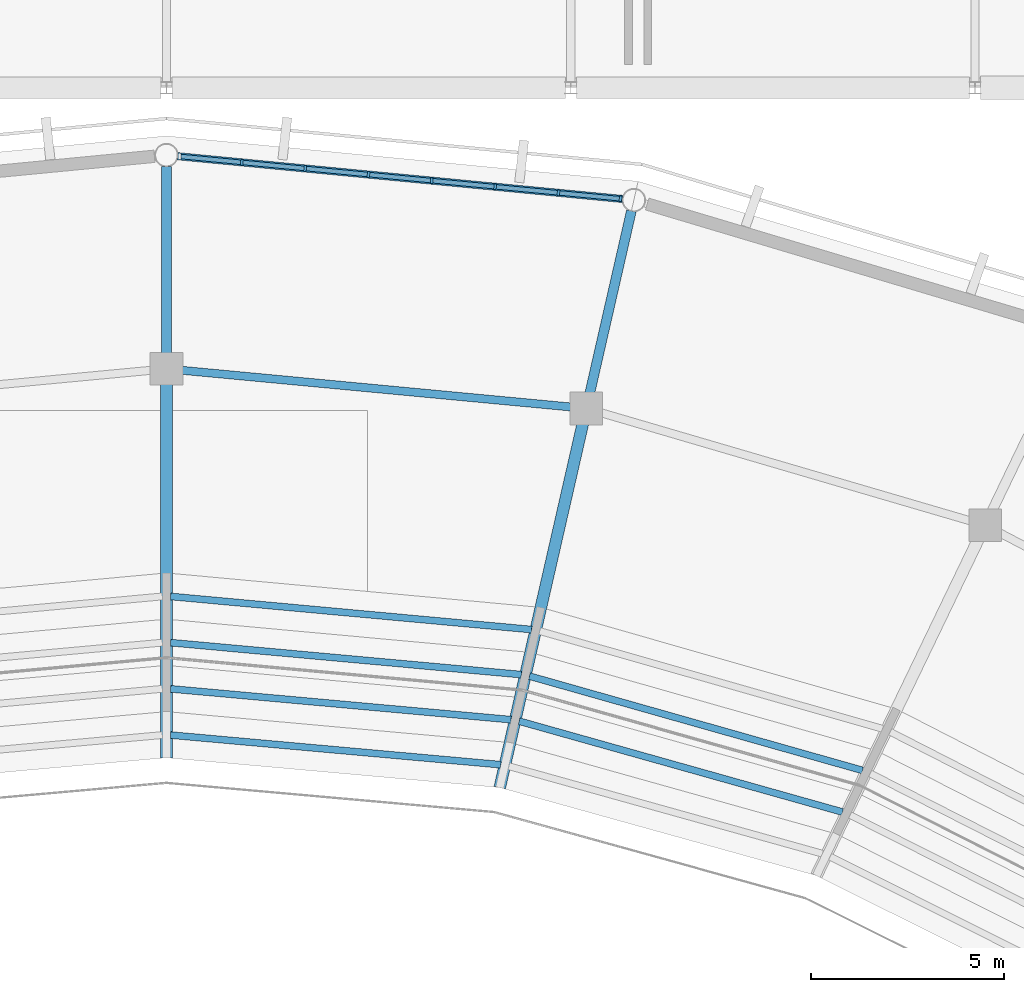
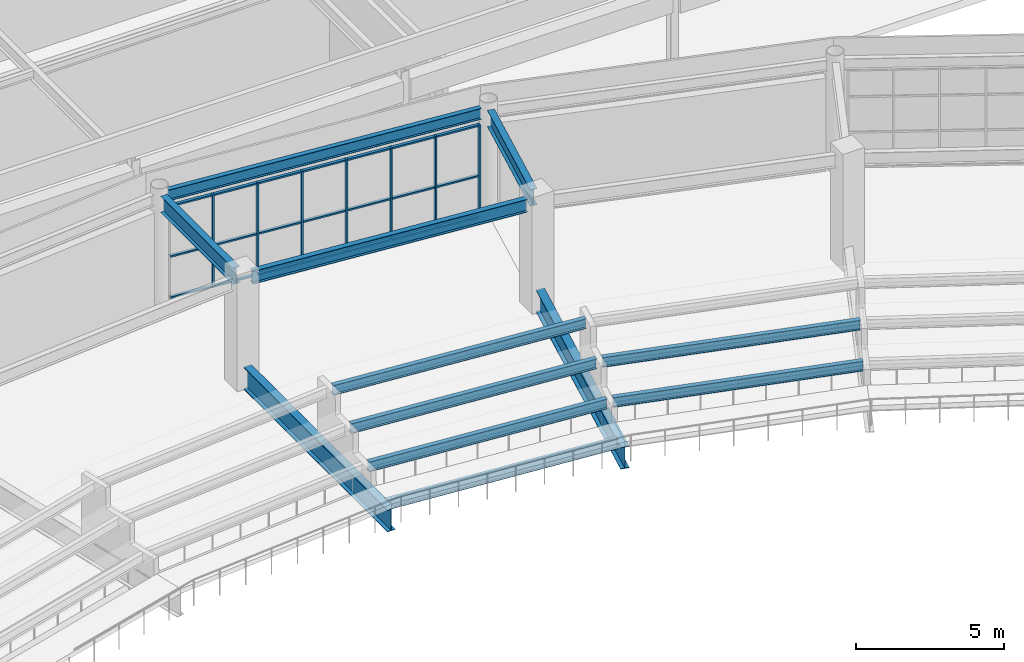
# One storey, part 58 of 122: 28 members, 12 beams, 1 element without a shape of its own.
"""IFC4 building model written with IfcOpenShell, lengths in metres."""

from ifc_helpers import new_model, si_unit, direction, frame, origin, origin_2d, place, context, subcontext, project, spatial, rectangle, i_section, extrude, material, material_profile, profile_set, type_object, element, aggregate, save


model = new_model("IFC4")

# Units and contexts
model_context = context("Model", 3, precision=1e-05, world=origin(), true_north=direction((0.0, 1.0)))
body_context = subcontext(model_context, "Body", "Model", "MODEL_VIEW")
ifc_project = project(units=[si_unit("LENGTHUNIT", "METRE"), si_unit("AREAUNIT", "SQUARE_METRE"), si_unit("VOLUMEUNIT", "CUBIC_METRE"), si_unit("PLANEANGLEUNIT", "RADIAN"), si_unit("MASSUNIT", "GRAM", prefix="KILO")], contexts=[model_context])

# Site, building, storey
site_placement = place(None, origin())
site = spatial("IfcSite", under=ifc_project, at=site_placement, CompositionType="ELEMENT")
building_placement = place(site_placement, origin())
building = spatial("IfcBuilding", under=site, at=building_placement, Name="Cuetzalor Civic Arena", CompositionType="ELEMENT")
storey_placement = place(building_placement, frame((0.0, 0.0, 16.199951171875)))
storey = spatial("IfcBuildingStorey", under=building, at=storey_placement, Name="L03", CompositionType="ELEMENT", Elevation=16.199951171875)

# Curtain wall, members
ifc_material_1 = material(Name="Anodised dark bronze aluminium and low-E solar glass", Category="aluminium")
curtain_wall_type = type_object("IfcCurtainWallType", Name="UnitisedCW_11550x3850", PredefinedType="USERDEFINED", material=ifc_material_1)
curtain_wall_placement = place(storey_placement, origin())
curtain_wall = element("IfcCurtainWall", 1, at=curtain_wall_placement, inside=storey, type_object=curtain_wall_type, Name="Drum Triangle Foyer Curtain Wall L03-047", ObjectType="UNITISED CURTAIN WALL", PredefinedType="USERDEFINED")
ifc_material_2 = material(Name="Anodised dark bronze aluminium", Category="aluminium")
ifc_material_profile_1 = material_profile(ifc_material_2, rectangle(XDim=0.06494140625, YDim=0.14990234375, at=origin_2d()), Name="ALU MULLION 65x150")
ifc_profile_set_1 = profile_set([ifc_material_profile_1], Name="Anodised dark bronze aluminium")
member_type_1 = type_object("IfcMemberType", Name="CurtainWallMullion_60x150", PredefinedType="MULLION", material=ifc_profile_set_1)
member_1_placement = place(storey_placement, frame((1.957763671875, 46.36181640625, 0.0), z_axis=(0.0, 0.0, 1.0), x_axis=(0.995409139996, -0.095711253324, 0.0)))
member_1 = element("IfcMember", 2, at=member_1_placement, type_object=member_type_1, Name="CW-14 mullion 2", PredefinedType="MULLION", context=body_context, shape_type="SweptSolid", body=[
    extrude(rectangle(XDim=0.06494140625, YDim=0.14990234375, at=origin_2d()), origin(), (0.0, 0.0, 1.0), 3.83203125),
])
member_2_placement = place(storey_placement, frame((3.602294921875, 46.20361328125, 0.0), z_axis=(0.0, 0.0, 1.0), x_axis=(0.995409139996, -0.095711253324, 0.0)))
member_2 = element("IfcMember", 3, at=member_2_placement, type_object=member_type_1, Name="CW-14 mullion 3", PredefinedType="MULLION", context=body_context, shape_type="SweptSolid", body=[
    extrude(rectangle(XDim=0.06494140625, YDim=0.14990234375, at=origin_2d()), origin(), (0.0, 0.0, 1.0), 3.83203125),
])
member_3_placement = place(storey_placement, frame((5.2470703125, 46.04541015625, 0.0), z_axis=(0.0, 0.0, 1.0), x_axis=(0.995409139996, -0.095711253324, 0.0)))
member_3 = element("IfcMember", 4, at=member_3_placement, type_object=member_type_1, Name="CW-14 mullion 4", PredefinedType="MULLION", context=body_context, shape_type="SweptSolid", body=[
    extrude(rectangle(XDim=0.06494140625, YDim=0.14990234375, at=origin_2d()), origin(), (0.0, 0.0, 1.0), 3.83203125),
])
member_4_placement = place(storey_placement, frame((6.8916015625, 45.887451171875, 0.0), z_axis=(0.0, 0.0, 1.0), x_axis=(0.995409139996, -0.095711253324, 0.0)))
member_4 = element("IfcMember", 5, at=member_4_placement, type_object=member_type_1, Name="CW-14 mullion 5", PredefinedType="MULLION", context=body_context, shape_type="SweptSolid", body=[
    extrude(rectangle(XDim=0.06494140625, YDim=0.14990234375, at=origin_2d()), origin(), (0.0, 0.0, 1.0), 3.83203125),
])
member_5_placement = place(storey_placement, frame((8.5361328125, 45.729248046875, 0.0), z_axis=(0.0, 0.0, 1.0), x_axis=(0.995409139996, -0.095711253324, 0.0)))
member_5 = element("IfcMember", 6, at=member_5_placement, type_object=member_type_1, Name="CW-14 mullion 6", PredefinedType="MULLION", context=body_context, shape_type="SweptSolid", body=[
    extrude(rectangle(XDim=0.06494140625, YDim=0.14990234375, at=origin_2d()), origin(), (0.0, 0.0, 1.0), 3.83203125),
])
member_6_placement = place(storey_placement, frame((10.1806640625, 45.571044921875, 0.0), z_axis=(0.0, 0.0, 1.0), x_axis=(0.995409139996, -0.095711253324, 0.0)))
member_6 = element("IfcMember", 7, at=member_6_placement, type_object=member_type_1, Name="CW-14 mullion 7", PredefinedType="MULLION", context=body_context, shape_type="SweptSolid", body=[
    extrude(rectangle(XDim=0.06494140625, YDim=0.14990234375, at=origin_2d()), origin(), (0.0, 0.0, 1.0), 3.83203125),
])
member_7_placement = place(storey_placement, frame((11.79296875, 45.416015625, 0.0), z_axis=(0.0, 0.0, 1.0), x_axis=(0.995409139996, -0.095711253324, 0.0)))
member_7 = element("IfcMember", 8, at=member_7_placement, type_object=member_type_1, Name="CW-14 mullion 8", PredefinedType="MULLION", context=body_context, shape_type="SweptSolid", body=[
    extrude(rectangle(XDim=0.06494140625, YDim=0.14990234375, at=origin_2d()), origin(), (0.0, 0.0, 1.0), 3.83203125),
])
ifc_material_3 = material(Name="Anodised dark bronze aluminium", Category="aluminium")
ifc_material_profile_2 = material_profile(ifc_material_3, rectangle(XDim=0.1201171875, YDim=0.06494140625, at=origin_2d()), Name="ALU TRANSOM 65x120")
ifc_profile_set_2 = profile_set([ifc_material_profile_2], Name="Anodised dark bronze aluminium")
member_type_2 = type_object("IfcMemberType", Name="CurtainWallTransom_60x120", PredefinedType="USERDEFINED", material=ifc_profile_set_2)
member_8_placement = place(storey_placement, frame((0.3779296875, 46.513671875, 0.032470703125), z_axis=(0.995416793915, -0.095631618157, 0.0), x_axis=(0.095631618157, 0.995416793915, 0.0)))
member_8 = element("IfcMember", 9, at=member_8_placement, type_object=member_type_2, Name="CW-14 transom 1.1", ObjectType="TRANSOM", PredefinedType="USERDEFINED", context=body_context, shape_type="SweptSolid", body=[
    extrude(rectangle(XDim=0.1201171875, YDim=0.06494140625, at=origin_2d()), origin(), (0.0, 0.0, 1.0), 1.5546875),
])
member_9_placement = place(storey_placement, frame((0.3779296875, 46.513671875, 1.72412109375), z_axis=(0.995416793915, -0.095631618157, 0.0), x_axis=(0.095631618157, 0.995416793915, 0.0)))
member_9 = element("IfcMember", 10, at=member_9_placement, type_object=member_type_2, Name="CW-14 transom 1.2", ObjectType="TRANSOM", PredefinedType="USERDEFINED", context=body_context, shape_type="SweptSolid", body=[
    extrude(rectangle(XDim=0.1201171875, YDim=0.06494140625, at=origin_2d()), origin(), (0.0, 0.0, 1.0), 1.5546875),
])
member_10_placement = place(storey_placement, frame((0.3779296875, 46.513671875, 3.799560546875), z_axis=(0.995416793915, -0.095631618157, 0.0), x_axis=(0.095631618157, 0.995416793915, 0.0)))
member_10 = element("IfcMember", 11, at=member_10_placement, type_object=member_type_2, Name="CW-14 transom 1.3", ObjectType="TRANSOM", PredefinedType="USERDEFINED", context=body_context, shape_type="SweptSolid", body=[
    extrude(rectangle(XDim=0.1201171875, YDim=0.06494140625, at=origin_2d()), origin(), (0.0, 0.0, 1.0), 1.5546875),
])
member_11_placement = place(storey_placement, frame((1.990234375, 46.358642578125, 0.032470703125), z_axis=(0.995412128785, -0.095680164442, 0.0), x_axis=(0.095680164442, 0.995412128785, 0.0)))
member_11 = element("IfcMember", 12, at=member_11_placement, type_object=member_type_2, Name="CW-14 transom 2.1", ObjectType="TRANSOM", PredefinedType="USERDEFINED", context=body_context, shape_type="SweptSolid", body=[
    extrude(rectangle(XDim=0.1201171875, YDim=0.06494140625, at=origin_2d()), origin(), (0.0, 0.0, 1.0), 1.587158203125),
])
member_12_placement = place(storey_placement, frame((1.990234375, 46.358642578125, 1.72412109375), z_axis=(0.995412128785, -0.095680164442, 0.0), x_axis=(0.095680164442, 0.995412128785, 0.0)))
member_12 = element("IfcMember", 13, at=member_12_placement, type_object=member_type_2, Name="CW-14 transom 2.2", ObjectType="TRANSOM", PredefinedType="USERDEFINED", context=body_context, shape_type="SweptSolid", body=[
    extrude(rectangle(XDim=0.1201171875, YDim=0.06494140625, at=origin_2d()), origin(), (0.0, 0.0, 1.0), 1.587158203125),
])
member_13_placement = place(storey_placement, frame((1.990234375, 46.358642578125, 3.799560546875), z_axis=(0.995412128785, -0.095680164442, 0.0), x_axis=(0.095680164442, 0.995412128785, 0.0)))
member_13 = element("IfcMember", 14, at=member_13_placement, type_object=member_type_2, Name="CW-14 transom 2.3", ObjectType="TRANSOM", PredefinedType="USERDEFINED", context=body_context, shape_type="SweptSolid", body=[
    extrude(rectangle(XDim=0.1201171875, YDim=0.06494140625, at=origin_2d()), origin(), (0.0, 0.0, 1.0), 1.587158203125),
])
member_14_placement = place(storey_placement, frame((3.634765625, 46.200439453125, 0.032470703125), z_axis=(0.995412128785, -0.095680164442, 0.0), x_axis=(0.095680164442, 0.995412128785, 0.0)))
member_14 = element("IfcMember", 15, at=member_14_placement, type_object=member_type_2, Name="CW-14 transom 3.1", ObjectType="TRANSOM", PredefinedType="USERDEFINED", context=body_context, shape_type="SweptSolid", body=[
    extrude(rectangle(XDim=0.1201171875, YDim=0.06494140625, at=origin_2d()), origin(), (0.0, 0.0, 1.0), 1.587158203125),
])
member_15_placement = place(storey_placement, frame((3.634765625, 46.200439453125, 1.72412109375), z_axis=(0.995412128785, -0.095680164442, 0.0), x_axis=(0.095680164442, 0.995412128785, 0.0)))
member_15 = element("IfcMember", 16, at=member_15_placement, type_object=member_type_2, Name="CW-14 transom 3.2", ObjectType="TRANSOM", PredefinedType="USERDEFINED", context=body_context, shape_type="SweptSolid", body=[
    extrude(rectangle(XDim=0.1201171875, YDim=0.06494140625, at=origin_2d()), origin(), (0.0, 0.0, 1.0), 1.587158203125),
])
member_16_placement = place(storey_placement, frame((3.634765625, 46.200439453125, 3.799560546875), z_axis=(0.995412128785, -0.095680164442, 0.0), x_axis=(0.095680164442, 0.995412128785, 0.0)))
member_16 = element("IfcMember", 17, at=member_16_placement, type_object=member_type_2, Name="CW-14 transom 3.3", ObjectType="TRANSOM", PredefinedType="USERDEFINED", context=body_context, shape_type="SweptSolid", body=[
    extrude(rectangle(XDim=0.1201171875, YDim=0.06494140625, at=origin_2d()), origin(), (0.0, 0.0, 1.0), 1.587158203125),
])
member_17_placement = place(storey_placement, frame((5.279296875, 46.04248046875, 0.032470703125), z_axis=(0.9953974667, -0.095832579471, 0.0), x_axis=(0.095832579471, 0.9953974667, 0.0)))
member_17 = element("IfcMember", 18, at=member_17_placement, type_object=member_type_2, Name="CW-14 transom 4.1", ObjectType="TRANSOM", PredefinedType="USERDEFINED", context=body_context, shape_type="SweptSolid", body=[
    extrude(rectangle(XDim=0.1201171875, YDim=0.06494140625, at=origin_2d()), origin(), (0.0, 0.0, 1.0), 1.587158203125),
])
member_18_placement = place(storey_placement, frame((5.279296875, 46.04248046875, 1.72412109375), z_axis=(0.9953974667, -0.095832579471, 0.0), x_axis=(0.095832579471, 0.9953974667, 0.0)))
member_18 = element("IfcMember", 19, at=member_18_placement, type_object=member_type_2, Name="CW-14 transom 4.2", ObjectType="TRANSOM", PredefinedType="USERDEFINED", context=body_context, shape_type="SweptSolid", body=[
    extrude(rectangle(XDim=0.1201171875, YDim=0.06494140625, at=origin_2d()), origin(), (0.0, 0.0, 1.0), 1.587158203125),
])
member_19_placement = place(storey_placement, frame((5.279296875, 46.04248046875, 3.799560546875), z_axis=(0.9953974667, -0.095832579471, 0.0), x_axis=(0.095832579471, 0.9953974667, 0.0)))
member_19 = element("IfcMember", 20, at=member_19_placement, type_object=member_type_2, Name="CW-14 transom 4.3", ObjectType="TRANSOM", PredefinedType="USERDEFINED", context=body_context, shape_type="SweptSolid", body=[
    extrude(rectangle(XDim=0.1201171875, YDim=0.06494140625, at=origin_2d()), origin(), (0.0, 0.0, 1.0), 1.587158203125),
])
member_20_placement = place(storey_placement, frame((6.923828125, 45.88427734375, 0.032470703125), z_axis=(0.995412128785, -0.095680164442, 0.0), x_axis=(0.095680164442, 0.995412128785, 0.0)))
member_20 = element("IfcMember", 21, at=member_20_placement, type_object=member_type_2, Name="CW-14 transom 5.1", ObjectType="TRANSOM", PredefinedType="USERDEFINED", context=body_context, shape_type="SweptSolid", body=[
    extrude(rectangle(XDim=0.1201171875, YDim=0.06494140625, at=origin_2d()), origin(), (0.0, 0.0, 1.0), 1.587158203125),
])
member_21_placement = place(storey_placement, frame((6.923828125, 45.88427734375, 1.72412109375), z_axis=(0.995412128785, -0.095680164442, 0.0), x_axis=(0.095680164442, 0.995412128785, 0.0)))
member_21 = element("IfcMember", 22, at=member_21_placement, type_object=member_type_2, Name="CW-14 transom 5.2", ObjectType="TRANSOM", PredefinedType="USERDEFINED", context=body_context, shape_type="SweptSolid", body=[
    extrude(rectangle(XDim=0.1201171875, YDim=0.06494140625, at=origin_2d()), origin(), (0.0, 0.0, 1.0), 1.587158203125),
])
member_22_placement = place(storey_placement, frame((6.923828125, 45.88427734375, 3.799560546875), z_axis=(0.995412128785, -0.095680164442, 0.0), x_axis=(0.095680164442, 0.995412128785, 0.0)))
member_22 = element("IfcMember", 23, at=member_22_placement, type_object=member_type_2, Name="CW-14 transom 5.3", ObjectType="TRANSOM", PredefinedType="USERDEFINED", context=body_context, shape_type="SweptSolid", body=[
    extrude(rectangle(XDim=0.1201171875, YDim=0.06494140625, at=origin_2d()), origin(), (0.0, 0.0, 1.0), 1.587158203125),
])
member_23_placement = place(storey_placement, frame((8.568359375, 45.72607421875, 0.032470703125), z_axis=(0.995412128785, -0.095680164442, 0.0), x_axis=(0.095680164442, 0.995412128785, 0.0)))
member_23 = element("IfcMember", 24, at=member_23_placement, type_object=member_type_2, Name="CW-14 transom 6.1", ObjectType="TRANSOM", PredefinedType="USERDEFINED", context=body_context, shape_type="SweptSolid", body=[
    extrude(rectangle(XDim=0.1201171875, YDim=0.06494140625, at=origin_2d()), origin(), (0.0, 0.0, 1.0), 1.587158203125),
])
member_24_placement = place(storey_placement, frame((8.568359375, 45.72607421875, 1.72412109375), z_axis=(0.995412128785, -0.095680164442, 0.0), x_axis=(0.095680164442, 0.995412128785, 0.0)))
member_24 = element("IfcMember", 25, at=member_24_placement, type_object=member_type_2, Name="CW-14 transom 6.2", ObjectType="TRANSOM", PredefinedType="USERDEFINED", context=body_context, shape_type="SweptSolid", body=[
    extrude(rectangle(XDim=0.1201171875, YDim=0.06494140625, at=origin_2d()), origin(), (0.0, 0.0, 1.0), 1.587158203125),
])
member_25_placement = place(storey_placement, frame((8.568359375, 45.72607421875, 3.799560546875), z_axis=(0.995412128785, -0.095680164442, 0.0), x_axis=(0.095680164442, 0.995412128785, 0.0)))
member_25 = element("IfcMember", 26, at=member_25_placement, type_object=member_type_2, Name="CW-14 transom 6.3", ObjectType="TRANSOM", PredefinedType="USERDEFINED", context=body_context, shape_type="SweptSolid", body=[
    extrude(rectangle(XDim=0.1201171875, YDim=0.06494140625, at=origin_2d()), origin(), (0.0, 0.0, 1.0), 1.587158203125),
])
member_26_placement = place(storey_placement, frame((10.212890625, 45.568115234375, 0.032470703125), z_axis=(0.995401833719, -0.095787209113, 0.0), x_axis=(0.095787209113, 0.995401833719, 0.0)))
member_26 = element("IfcMember", 27, at=member_26_placement, type_object=member_type_2, Name="CW-14 transom 7.1", ObjectType="TRANSOM", PredefinedType="USERDEFINED", context=body_context, shape_type="SweptSolid", body=[
    extrude(rectangle(XDim=0.1201171875, YDim=0.06494140625, at=origin_2d()), origin(), (0.0, 0.0, 1.0), 1.5546875),
])
member_27_placement = place(storey_placement, frame((10.212890625, 45.568115234375, 1.72412109375), z_axis=(0.995401833719, -0.095787209113, 0.0), x_axis=(0.095787209113, 0.995401833719, 0.0)))
member_27 = element("IfcMember", 28, at=member_27_placement, type_object=member_type_2, Name="CW-14 transom 7.2", ObjectType="TRANSOM", PredefinedType="USERDEFINED", context=body_context, shape_type="SweptSolid", body=[
    extrude(rectangle(XDim=0.1201171875, YDim=0.06494140625, at=origin_2d()), origin(), (0.0, 0.0, 1.0), 1.5546875),
])
member_28_placement = place(storey_placement, frame((10.212890625, 45.568115234375, 3.799560546875), z_axis=(0.995401833719, -0.095787209113, 0.0), x_axis=(0.095787209113, 0.995401833719, 0.0)))
member_28 = element("IfcMember", 29, at=member_28_placement, type_object=member_type_2, Name="CW-14 transom 7.3", ObjectType="TRANSOM", PredefinedType="USERDEFINED", context=body_context, shape_type="SweptSolid", body=[
    extrude(rectangle(XDim=0.1201171875, YDim=0.06494140625, at=origin_2d()), origin(), (0.0, 0.0, 1.0), 1.5546875),
])
aggregate(curtain_wall, [member_1, member_2, member_3, member_4, member_5, member_6, member_7, member_8, member_9, member_10, member_11, member_12, member_13, member_14, member_15, member_16, member_17, member_18, member_19, member_20, member_21, member_22, member_23, member_24, member_25, member_26, member_27, member_28])

# Beams
ifc_material_4 = material(Name="Steel S355", Category="steel")
ifc_material_profile_3 = material_profile(ifc_material_4, i_section(OverallWidth=0.18994140625, OverallDepth=0.45703125, WebThickness=0.009033203125, FlangeThickness=0.014404296875, at=origin_2d()), Name="W460x74")
ifc_profile_set_3 = profile_set([ifc_material_profile_3], Name="Steel S355")
beam_type_1 = type_object("IfcBeamType", Name="FacadeSpandrelBeam_W460", PredefinedType="SPANDREL", material=ifc_profile_set_3)
beam_1_placement = place(storey_placement, frame((11.849853515625, 45.41064453125, 4.29150390625), z_axis=(-0.995409568272, 0.095706799095, 0.0), x_axis=(-0.095706799095, -0.995409568272, 0.0)))
element("IfcBeam", 30, at=beam_1_placement, inside=storey, type_object=beam_type_1, Name="Drum Perimeter Spandrel L03-S07", PredefinedType="SPANDREL", context=body_context, shape_type="SweptSolid", body=[
    extrude(i_section(OverallWidth=0.18994140625, OverallDepth=0.45703125, WebThickness=0.009033203125, FlangeThickness=0.014404296875, at=origin_2d()), origin(), (0.0, 0.0, 1.0), 11.6142578125),
])
ifc_material_5 = material(Name="Steel S355", Category="steel")
ifc_material_profile_4 = material_profile(ifc_material_5, i_section(OverallWidth=0.208984375, OverallDepth=0.532958984375, WebThickness=0.01025390625, FlangeThickness=0.015625, at=origin_2d()), Name="W530x92")
ifc_profile_set_4 = profile_set([ifc_material_profile_4], Name="Steel S355")
beam_type_2 = type_object("IfcBeamType", Name="SteelCollarGirder_W530", PredefinedType="BEAM", material=ifc_profile_set_4)
beam_2_placement = place(storey_placement, frame((10.53515625, 40.006591796875, 4.253662109375), z_axis=(-0.995583045118, 0.093885037538, 0.0), x_axis=(-0.093885037538, -0.995583045118, 0.0)))
element("IfcBeam", 31, at=beam_2_placement, inside=storey, type_object=beam_type_2, Name="Drum Concourse Ring Girder L03-S07", PredefinedType="BEAM", context=body_context, shape_type="SweptSolid", body=[
    extrude(i_section(OverallWidth=0.208984375, OverallDepth=0.532958984375, WebThickness=0.01025390625, FlangeThickness=0.015625, at=origin_2d()), origin(), (0.0, 0.0, 1.0), 10.2119140625),
])
ifc_material_6 = material(Name="Steel S355", Category="steel")
ifc_material_profile_5 = material_profile(ifc_material_6, i_section(OverallWidth=0.2529296875, OverallDepth=0.677978515625, WebThickness=0.01171875, FlangeThickness=0.016357421875, at=origin_2d()), Name="W690x125")
ifc_profile_set_5 = profile_set([ifc_material_profile_5], Name="Steel S355")
beam_type_3 = type_object("IfcBeamType", Name="SteelPrimaryGirder_W690", PredefinedType="BEAM", material=ifc_profile_set_5)
for number, where, z_axis, x_axis, name in (
    (32, (10.983642578125, 40.322998046875, 4.18115234375), (0.222519036633, 0.974928345231, 0.0), (-0.974928345231, 0.222519036633, 0.0), "Drum Radial Girder L03-R07"),
    (33, (0.0, 41.360107421875, 4.18115234375), (0.0, 1.0, 0.0), (-1.0, 0.0, 0.0), "Drum Radial Girder L03-R08"),
):
    element("IfcBeam", number, at=place(storey_placement, frame(where, z_axis=z_axis, x_axis=x_axis)), inside=storey, type_object=beam_type_3, Name=name, PredefinedType="BEAM", context=body_context, shape_type="SweptSolid", body=[
        extrude(i_section(OverallWidth=0.2529296875, OverallDepth=0.677978515625, WebThickness=0.01171875, FlangeThickness=0.016357421875, at=origin_2d()), origin(), (0.0, 0.0, 1.0), 4.89990234375),
    ])
ifc_material_7 = material(Name="Steel S355", Category="steel")
ifc_material_profile_6 = material_profile(ifc_material_7, i_section(OverallWidth=0.177978515625, OverallDepth=0.406982421875, WebThickness=0.0078125, FlangeThickness=0.0126953125, at=origin_2d()), Name="W410x60")
ifc_profile_set_6 = profile_set([ifc_material_profile_6], Name="Steel S355")
beam_type_4 = type_object("IfcBeamType", Name="SteelSecondaryBeam_W410", PredefinedType="BEAM", material=ifc_profile_set_6)
beam_3_placement = place(storey_placement, frame((17.55517578125, 29.490966796875, 1.551513671875), z_axis=(-0.962683770565, 0.270628819401, 0.0), x_axis=(-0.270628819401, -0.962683770565, 0.0)))
element("IfcBeam", 34, at=beam_3_placement, inside=storey, type_object=beam_type_4, Name="Upper Bowl Tier Carrier Beam S06-R2", PredefinedType="BEAM", context=body_context, shape_type="SweptSolid", body=[
    extrude(i_section(OverallWidth=0.177978515625, OverallDepth=0.406982421875, WebThickness=0.0078125, FlangeThickness=0.0126953125, at=origin_2d()), origin(), (0.0, 0.0, 1.0), 8.719970703125),
])
beam_4_placement = place(storey_placement, frame((18.07568359375, 30.572265625, 2.401611328125), z_axis=(-0.962180257647, 0.272413567567, 0.0), x_axis=(-0.272413567567, -0.962180257647, 0.0)))
element("IfcBeam", 35, at=beam_4_placement, inside=storey, type_object=beam_type_4, Name="Upper Bowl Tier Carrier Beam S06-R3", PredefinedType="BEAM", context=body_context, shape_type="SweptSolid", body=[
    extrude(i_section(OverallWidth=0.177978515625, OverallDepth=0.406982421875, WebThickness=0.0078125, FlangeThickness=0.0126953125, at=origin_2d()), origin(), (0.0, 0.0, 1.0), 8.988037109375),
])
beam_5_placement = place(storey_placement, frame((8.681884765625, 30.719970703125, 0.70751953125), z_axis=(-0.995989110242, 0.089474534249, 0.0), x_axis=(-0.089474534249, -0.995989110242, 0.0)))
element("IfcBeam", 36, at=beam_5_placement, inside=storey, type_object=beam_type_4, Name="Upper Bowl Tier Carrier Beam S07-R1", PredefinedType="BEAM", context=body_context, shape_type="SweptSolid", body=[
    extrude(i_section(OverallWidth=0.177978515625, OverallDepth=0.406982421875, WebThickness=0.0078125, FlangeThickness=0.0126953125, at=origin_2d()), origin(), (0.0, 0.0, 1.0), 8.608642578125),
])
beam_6_placement = place(storey_placement, frame((8.948974609375, 31.889892578125, 1.551513671875), z_axis=(-0.995928296807, 0.090148919118, 0.0), x_axis=(-0.090148919118, -0.995928296807, 0.0)))
element("IfcBeam", 37, at=beam_6_placement, inside=storey, type_object=beam_type_4, Name="Upper Bowl Tier Carrier Beam S07-R2", PredefinedType="BEAM", context=body_context, shape_type="SweptSolid", body=[
    extrude(i_section(OverallWidth=0.177978515625, OverallDepth=0.406982421875, WebThickness=0.0078125, FlangeThickness=0.0126953125, at=origin_2d()), origin(), (0.0, 0.0, 1.0), 8.87744140625),
])
beam_7_placement = place(storey_placement, frame((9.216064453125, 33.059814453125, 2.401611328125), z_axis=(-0.995870639536, 0.090783640106, 0.0), x_axis=(-0.090783640106, -0.995870639536, 0.0)))
element("IfcBeam", 38, at=beam_7_placement, inside=storey, type_object=beam_type_4, Name="Upper Bowl Tier Carrier Beam S07-R3", PredefinedType="BEAM", context=body_context, shape_type="SweptSolid", body=[
    extrude(i_section(OverallWidth=0.177978515625, OverallDepth=0.406982421875, WebThickness=0.0078125, FlangeThickness=0.0126953125, at=origin_2d()), origin(), (0.0, 0.0, 1.0), 9.146240234375),
])
beam_8_placement = place(storey_placement, frame((9.483154296875, 34.22998046875, 3.25146484375), z_axis=(-0.995818478787, 0.091354021841, 0.0), x_axis=(-0.091354021841, -0.995818478787, 0.0)))
element("IfcBeam", 39, at=beam_8_placement, inside=storey, type_object=beam_type_4, Name="Upper Bowl Tier Carrier Beam S07-R4", PredefinedType="BEAM", context=body_context, shape_type="SweptSolid", body=[
    extrude(i_section(OverallWidth=0.177978515625, OverallDepth=0.406982421875, WebThickness=0.0078125, FlangeThickness=0.0126953125, at=origin_2d()), origin(), (0.0, 0.0, 1.0), 9.4150390625),
])
ifc_material_8 = material(Name="Steel S355", Category="steel")
ifc_material_profile_7 = material_profile(ifc_material_8, i_section(OverallWidth=0.303955078125, OverallDepth=0.910888671875, WebThickness=0.015869140625, FlangeThickness=0.02392578125, at=origin_2d()), Name="W920x223")
ifc_profile_set_7 = profile_set([ifc_material_profile_7], Name="Steel S355")
beam_type_5 = type_object("IfcBeamType", Name="UpperBowlRakerBeam_W840", PredefinedType="USERDEFINED", material=ifc_profile_set_7)
beam_9_placement = place(storey_placement, frame((8.656005859375, 30.125244140625, 0.45556640625), z_axis=(0.222514477125, 0.974929385889, 0.0), x_axis=(-0.974929385889, 0.222514477125, 0.0)))
element("IfcBeam", 40, at=beam_9_placement, inside=storey, type_object=beam_type_5, Name="Upper Bowl Raker Beam R07", ObjectType="RAKER", PredefinedType="USERDEFINED", context=body_context, shape_type="SweptSolid", body=[
    extrude(i_section(OverallWidth=0.303955078125, OverallDepth=0.910888671875, WebThickness=0.015869140625, FlangeThickness=0.02392578125, at=origin_2d()), origin(), (0.0, 0.0, 1.0), 9.719970703125),
])
beam_10_placement = place(storey_placement, frame((0.0, 30.89990234375, 0.45556640625), z_axis=(0.0, 1.0, 0.0), x_axis=(-1.0, 0.0, 0.0)))
element("IfcBeam", 41, at=beam_10_placement, inside=storey, type_object=beam_type_5, Name="Upper Bowl Raker Beam R08", ObjectType="RAKER", PredefinedType="USERDEFINED", context=body_context, shape_type="SweptSolid", body=[
    extrude(i_section(OverallWidth=0.303955078125, OverallDepth=0.910888671875, WebThickness=0.015869140625, FlangeThickness=0.02392578125, at=origin_2d()), origin(), (0.0, 0.0, 1.0), 9.72021484375),
])

save(model, "model.ifc")
